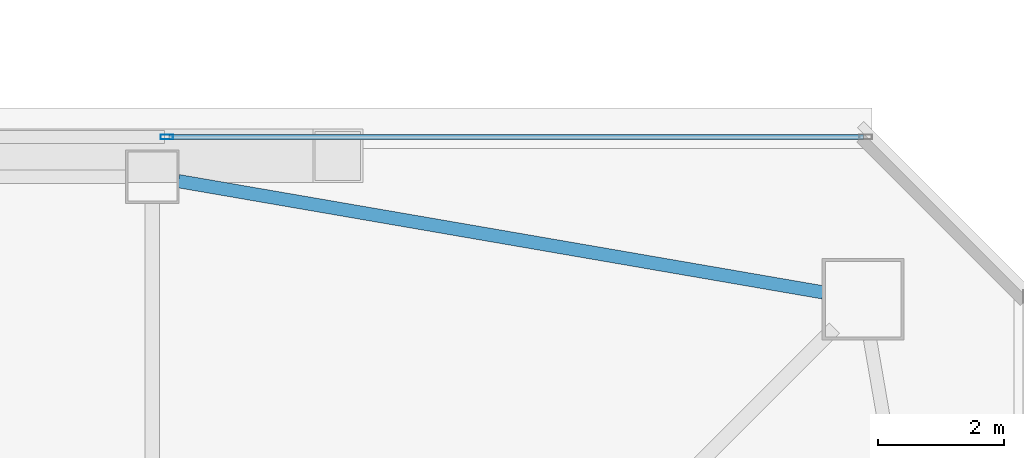
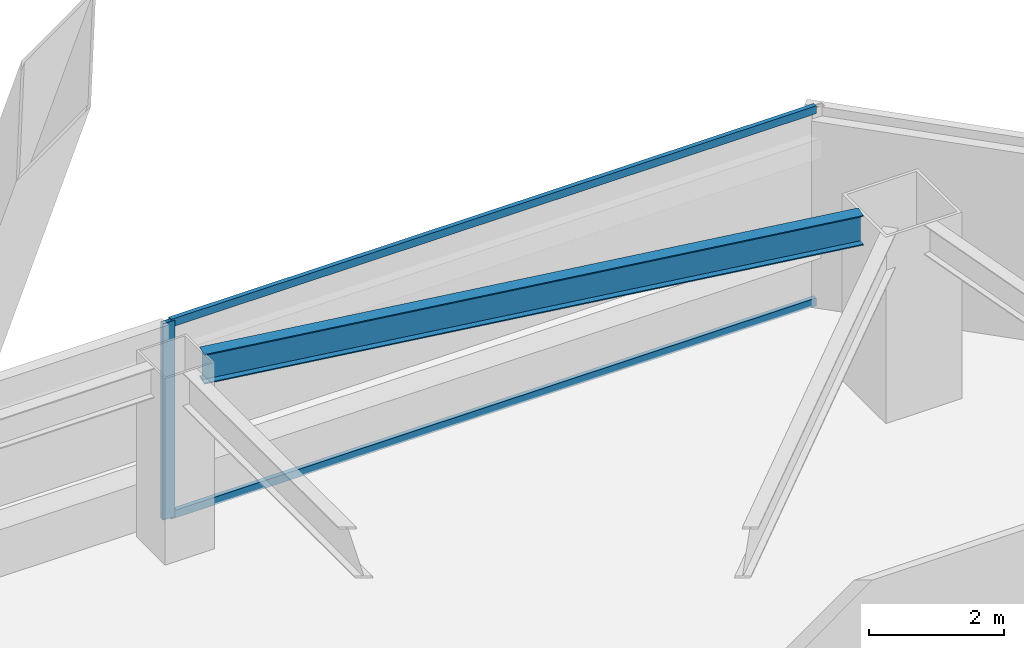
# One storey, part 17 of 50: 3 members, 1 beam, 1 element without a shape of its own.
"""IFC4 building model written with IfcOpenShell, lengths in metres."""

from ifc_helpers import new_model, si_unit, direction, frame, origin, origin_2d, place, context, subcontext, project, spatial, hollow_rectangle, i_section, extrude, material, material_profile, profile_set, type_object, element, aggregate, save


model = new_model("IFC4")

# Units and contexts
model_context = context("Model", 3, precision=1e-05, world=origin(), true_north=direction((0.0, 1.0)))
body_context = subcontext(model_context, "Body", "Model", "MODEL_VIEW")
ifc_project = project(units=[si_unit("LENGTHUNIT", "METRE"), si_unit("AREAUNIT", "SQUARE_METRE"), si_unit("VOLUMEUNIT", "CUBIC_METRE"), si_unit("PLANEANGLEUNIT", "RADIAN"), si_unit("MASSUNIT", "GRAM", prefix="KILO")], contexts=[model_context])

# Site, building, storey
site_placement = place(None, origin())
site = spatial("IfcSite", under=ifc_project, at=site_placement, CompositionType="ELEMENT")
building_placement = place(site_placement, origin())
building = spatial("IfcBuilding", under=site, at=building_placement, Name="Tashvorn Skyway Center", CompositionType="ELEMENT")
storey_placement = place(building_placement, frame((0.0, 0.0, 114.39990234375)))
storey = spatial("IfcBuildingStorey", under=building, at=storey_placement, Name="L30", CompositionType="ELEMENT", Elevation=114.39990234375)

# Beam
ifc_material_1 = material(Name="Steel ASTM A992 Grade 50", Category="steel")
ifc_material_profile_1 = material_profile(ifc_material_1, i_section(OverallWidth=0.2109375, OverallDepth=0.5390625, WebThickness=0.01171875, FlangeThickness=0.018798828125, at=origin_2d()), Name="W21X73")
ifc_profile_set_1 = profile_set([ifc_material_profile_1], Name="Steel ASTM A992 Grade 50")
beam_type = type_object("IfcBeamType", Name="BM-SPANDREL-W21X73", PredefinedType="SPANDREL", material=ifc_profile_set_1)
beam_placement = place(storey_placement, frame((58.064453125, 48.8095703125, 3.1005859375), z_axis=(-0.985432458462, 0.170067250846, 0.0), x_axis=(-0.170067250846, -0.985432458462, 0.0)))
element("IfcBeam", 1, at=beam_placement, inside=storey, type_object=beam_type, Name="Tower 1 L30 Spandrel Beam 07", PredefinedType="SPANDREL", context=body_context, shape_type="SweptSolid", body=[
    extrude(i_section(OverallWidth=0.2109375, OverallDepth=0.5390625, WebThickness=0.01171875, FlangeThickness=0.018798828125, at=origin_2d()), origin(), (0.0, 0.0, 1.0), 10.402099609375),
])

# Curtain wall, members
ifc_material_2 = material(Name="Thermally broken bronze-anodized aluminium 6063-T6", Category="aluminium")
curtain_wall_type = type_object("IfcCurtainWallType", Name="CW-CW-Z3", PredefinedType="NOTDEFINED", material=ifc_material_2)
curtain_wall_placement = place(storey_placement, origin())
curtain_wall = element("IfcCurtainWall", 2, at=curtain_wall_placement, inside=storey, type_object=curtain_wall_type, Name="Tower 1 L30 North Unitised Curtain Wall Glazing Group 2", PredefinedType="NOTDEFINED")
ifc_material_profile_2 = material_profile(ifc_material_2, hollow_rectangle(XDim=0.074951171875, YDim=0.199951171875, WallThickness=0.00439453125, at=origin_2d()), Name="ALU-MULL-75x200")
ifc_profile_set_2 = profile_set([ifc_material_profile_2], Name="Thermally broken bronze-anodized aluminium 6063-T6")
member_type_1 = type_object("IfcMemberType", Name="CWM-CW-Z3", PredefinedType="MULLION", material=ifc_profile_set_2)
member_1_placement = place(storey_placement, frame((47.630859375, 51.280029296875, 0.0), z_axis=(0.0, 0.0, 1.0), x_axis=(0.0, 1.0, 0.0)))
member_1 = element("IfcMember", 3, at=member_1_placement, type_object=member_type_1, Name="CW-Z3 mullion 1", PredefinedType="MULLION", context=body_context, shape_type="SweptSolid", body=[
    extrude(hollow_rectangle(XDim=0.074951171875, YDim=0.199951171875, WallThickness=0.00439453125, at=origin_2d()), origin(), (0.0, 0.0, 1.0), 3.550048828125),
])
ifc_material_profile_3 = material_profile(ifc_material_2, hollow_rectangle(XDim=0.074951171875, YDim=0.139892578125, WallThickness=0.004150390625, at=origin_2d()), Name="ALU-TRAN-75x140")
ifc_profile_set_3 = profile_set([ifc_material_profile_3], Name="Thermally broken bronze-anodized aluminium 6063-T6")
member_type_2 = type_object("IfcMemberType", Name="CWT-CW-Z3", PredefinedType="USERDEFINED", material=ifc_profile_set_3)
member_2_placement = place(storey_placement, frame((47.668212890625, 51.280029296875, 0.03759765625), z_axis=(1.0, 0.0, 0.0), x_axis=(0.0, 1.0, 0.0)))
member_2 = element("IfcMember", 4, at=member_2_placement, type_object=member_type_2, Name="CW-Z3 transom 1.1", ObjectType="TRANSOM", PredefinedType="USERDEFINED", context=body_context, shape_type="SweptSolid", body=[
    extrude(hollow_rectangle(XDim=0.074951171875, YDim=0.139892578125, WallThickness=0.004150390625, at=origin_2d()), origin(), (0.0, 0.0, 1.0), 11.036865234375),
])
member_3_placement = place(storey_placement, frame((47.668212890625, 51.280029296875, 3.5126953125), z_axis=(1.0, 0.0, 0.0), x_axis=(0.0, 1.0, 0.0)))
member_3 = element("IfcMember", 5, at=member_3_placement, type_object=member_type_2, Name="CW-Z3 transom 1.2", ObjectType="TRANSOM", PredefinedType="USERDEFINED", context=body_context, shape_type="SweptSolid", body=[
    extrude(hollow_rectangle(XDim=0.074951171875, YDim=0.139892578125, WallThickness=0.004150390625, at=origin_2d()), origin(), (0.0, 0.0, 1.0), 11.036865234375),
])
aggregate(curtain_wall, [member_1, member_2, member_3])

save(model, "model.ifc")
